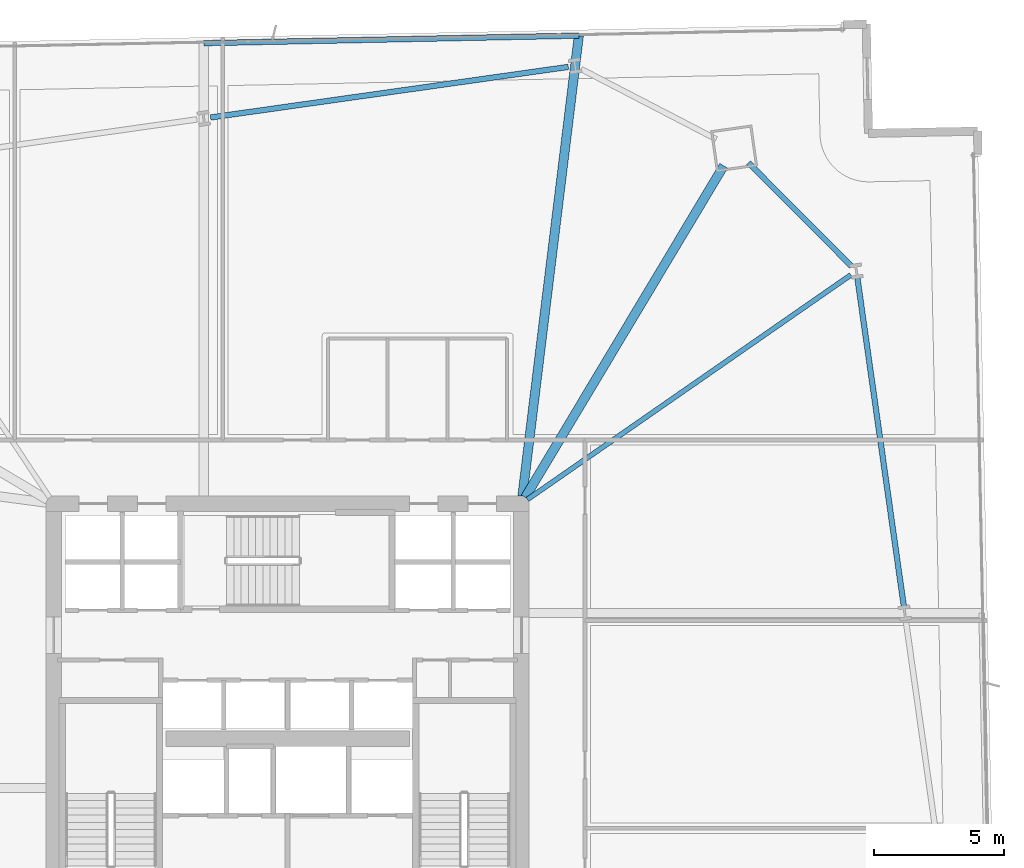
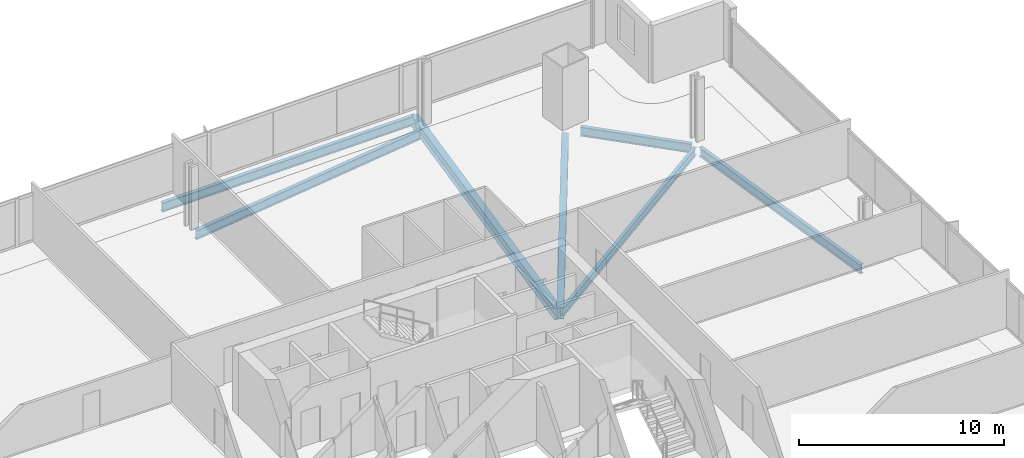
# One storey, part 22 of 35: 7 beams.
"""IFC4 building model written with IfcOpenShell, lengths in metres."""

from ifc_helpers import new_model, si_unit, direction, frame, origin, origin_2d, place, context, subcontext, project, spatial, i_section, extrude, material, material_profile, profile_set, type_object, element, save


model = new_model("IFC4")

# Units and contexts
model_context = context("Model", 3, precision=1e-05, world=origin(), true_north=direction((0.0, 1.0)))
body_context = subcontext(model_context, "Body", "Model", "MODEL_VIEW")
ifc_project = project(units=[si_unit("LENGTHUNIT", "METRE"), si_unit("AREAUNIT", "SQUARE_METRE"), si_unit("VOLUMEUNIT", "CUBIC_METRE"), si_unit("PLANEANGLEUNIT", "RADIAN"), si_unit("MASSUNIT", "GRAM", prefix="KILO")], contexts=[model_context])

# Site, building, storey
site_placement = place(None, origin())
site = spatial("IfcSite", under=ifc_project, at=site_placement, CompositionType="ELEMENT")
building_placement = place(site_placement, origin())
building = spatial("IfcBuilding", under=site, at=building_placement, Name="Haldenkirk Collegiate Tower", CompositionType="ELEMENT")
storey_placement = place(building_placement, frame((0.0, 0.0, 32.699951171875)))
storey = spatial("IfcBuildingStorey", under=building, at=storey_placement, Name="L06", CompositionType="ELEMENT", Elevation=32.699951171875)

# Beams
ifc_material = material(Name="Steel ASTM A992 Grade 50", Category="steel")
ifc_material_profile_1 = material_profile(ifc_material, i_section(OverallWidth=0.35498046875, OverallDepth=0.696044921875, WebThickness=0.015380859375, FlangeThickness=0.02490234375, at=origin_2d()), Name="W27X146")
ifc_profile_set_1 = profile_set([ifc_material_profile_1], Name="Steel ASTM A992 Grade 50")
beam_type_1 = type_object("IfcBeamType", Name="BM-GIRDER-W27X146", PredefinedType="BEAM", material=ifc_profile_set_1)
beam_1_placement = place(storey_placement, frame((52.783935546875, 47.000732421875, -0.657958984375), z_axis=(-0.513696499257, -0.857971973115, 0.0), x_axis=(0.857971973115, -0.513696499257, 0.0)))
element("IfcBeam", 1, at=beam_1_placement, inside=storey, type_object=beam_type_1, Name="L06 primary floor girder 03", PredefinedType="BEAM", context=body_context, shape_type="SweptSolid", body=[
    extrude(i_section(OverallWidth=0.35498046875, OverallDepth=0.696044921875, WebThickness=0.015380859375, FlangeThickness=0.02490234375, at=origin_2d()), origin(), (0.0, 0.0, 1.0), 14.872802734375),
])
beam_2_placement = place(storey_placement, frame((47.208984375, 52.01025390625, -0.657958984375), z_axis=(-0.121733527718, -0.992562818279, 0.0), x_axis=(0.992562818279, -0.121733527718, 0.0)))
element("IfcBeam", 2, at=beam_2_placement, inside=storey, type_object=beam_type_1, Name="L06 primary floor girder 11", PredefinedType="BEAM", context=body_context, shape_type="SweptSolid", body=[
    extrude(i_section(OverallWidth=0.35498046875, OverallDepth=0.696044921875, WebThickness=0.015380859375, FlangeThickness=0.02490234375, at=origin_2d()), origin(), (0.0, 0.0, 1.0), 17.865234375),
])
ifc_material_profile_2 = material_profile(ifc_material, i_section(OverallWidth=0.19189453125, OverallDepth=0.462890625, WebThickness=0.010498046875, FlangeThickness=0.017578125, at=origin_2d()), Name="W18X60")
ifc_profile_set_2 = profile_set([ifc_material_profile_2], Name="Steel ASTM A992 Grade 50")
beam_type_2 = type_object("IfcBeamType", Name="BM-JOIST-W18X60", PredefinedType="JOIST", material=ifc_profile_set_2)
beam_3_placement = place(storey_placement, frame((57.675048828125, 42.7978515625, -0.54150390625), z_axis=(-0.821500606737, -0.570207640365, 0.0), x_axis=(0.570207640365, -0.821500606737, 0.0)))
element("IfcBeam", 3, at=beam_3_placement, inside=storey, type_object=beam_type_2, Name="L06 composite floor joist 10", PredefinedType="JOIST", context=body_context, shape_type="SweptSolid", body=[
    extrude(i_section(OverallWidth=0.19189453125, OverallDepth=0.462890625, WebThickness=0.010498046875, FlangeThickness=0.017578125, at=origin_2d()), origin(), (0.0, 0.0, 1.0), 15.149169921875),
])
ifc_material_profile_3 = material_profile(ifc_material, i_section(OverallWidth=0.2119140625, OverallDepth=0.5439453125, WebThickness=0.01318359375, FlangeThickness=0.021240234375, at=origin_2d()), Name="W21X83")
ifc_profile_set_3 = profile_set([ifc_material_profile_3], Name="Steel ASTM A992 Grade 50")
beam_type_3 = type_object("IfcBeamType", Name="BM-SPANDREL-W21X83", PredefinedType="SPANDREL", material=ifc_profile_set_3)
beam_4_placement = place(storey_placement, frame((59.716552734375, 30.050537109375, -0.58203125), z_axis=(-0.140052642207, 0.990144058918, 0.0), x_axis=(-0.990144058918, -0.140052642207, 0.0)))
element("IfcBeam", 4, at=beam_4_placement, inside=storey, type_object=beam_type_3, Name="L06 perimeter spandrel beam 07", PredefinedType="SPANDREL", context=body_context, shape_type="SweptSolid", body=[
    extrude(i_section(OverallWidth=0.2119140625, OverallDepth=0.5439453125, WebThickness=0.01318359375, FlangeThickness=0.021240234375, at=origin_2d()), origin(), (0.0, 0.0, 1.0), 12.761962890625),
])
beam_5_placement = place(storey_placement, frame((57.70556640625, 43.135986328125, -0.58203125), z_axis=(-0.706085689957, 0.708126400043, 0.0), x_axis=(-0.708126400043, -0.706085689957, 0.0)))
element("IfcBeam", 5, at=beam_5_placement, inside=storey, type_object=beam_type_3, Name="L06 perimeter spandrel beam 08", PredefinedType="SPANDREL", context=body_context, shape_type="SweptSolid", body=[
    extrude(i_section(OverallWidth=0.2119140625, OverallDepth=0.5439453125, WebThickness=0.01318359375, FlangeThickness=0.021240234375, at=origin_2d()), origin(), (0.0, 0.0, 1.0), 5.622802734375),
])
beam_6_placement = place(storey_placement, frame((46.803955078125, 50.807373046875, -0.58203125), z_axis=(-0.990146197746, -0.14003752029, 0.0), x_axis=(0.14003752029, -0.990146197746, 0.0)))
element("IfcBeam", 6, at=beam_6_placement, inside=storey, type_object=beam_type_3, Name="L06 perimeter spandrel beam 10", PredefinedType="SPANDREL", context=body_context, shape_type="SweptSolid", body=[
    extrude(i_section(OverallWidth=0.2119140625, OverallDepth=0.5439453125, WebThickness=0.01318359375, FlangeThickness=0.021240234375, at=origin_2d()), origin(), (0.0, 0.0, 1.0), 13.906982421875),
])
beam_7_placement = place(storey_placement, frame((47.208984375, 52.01025390625, -0.58203125), z_axis=(-0.999798590294, -0.020069350898, 0.0), x_axis=(0.020069350898, -0.999798590294, 0.0)))
element("IfcBeam", 7, at=beam_7_placement, inside=storey, type_object=beam_type_3, Name="L06 outer facade edge beam 3", PredefinedType="SPANDREL", context=body_context, shape_type="SweptSolid", body=[
    extrude(i_section(OverallWidth=0.2119140625, OverallDepth=0.5439453125, WebThickness=0.01318359375, FlangeThickness=0.021240234375, at=origin_2d()), origin(), (0.0, 0.0, 1.0), 14.439697265625),
])

save(model, "model.ifc")
